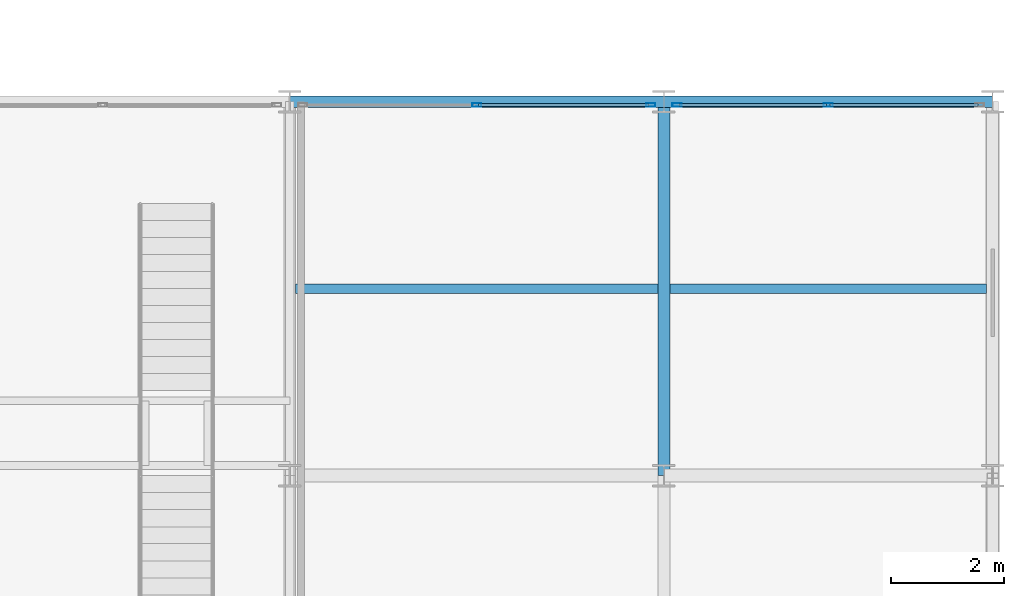
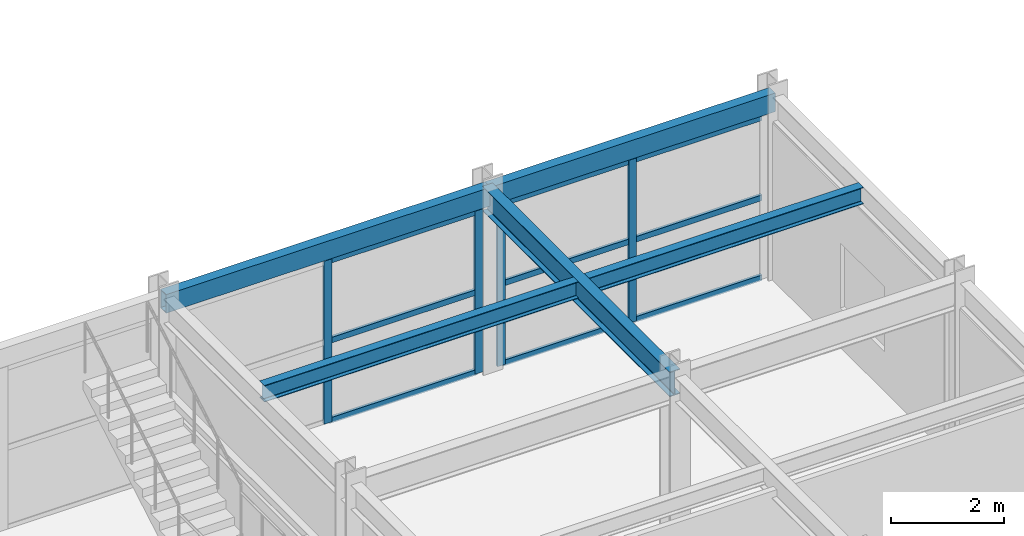
# One storey, part 107 of 157: 13 members, 5 beams, 2 elements without a shape of their own.
"""IFC4 building model written with IfcOpenShell, lengths in metres."""

from ifc_helpers import new_model, si_unit, direction, frame, origin, origin_2d, place, context, subcontext, project, spatial, hollow_rectangle, i_section, extrude, material, material_profile, profile_set, type_object, element, aggregate, save


model = new_model("IFC4")

# Units and contexts
model_context = context("Model", 3, precision=1e-05, world=origin(), true_north=direction((0.0, 1.0)))
body_context = subcontext(model_context, "Body", "Model", "MODEL_VIEW")
ifc_project = project(units=[si_unit("LENGTHUNIT", "METRE"), si_unit("AREAUNIT", "SQUARE_METRE"), si_unit("VOLUMEUNIT", "CUBIC_METRE"), si_unit("PLANEANGLEUNIT", "RADIAN"), si_unit("MASSUNIT", "GRAM", prefix="KILO")], contexts=[model_context])

# Site, building, storey
site_placement = place(None, origin())
site = spatial("IfcSite", under=ifc_project, at=site_placement, CompositionType="ELEMENT")
building_placement = place(site_placement, origin())
building = spatial("IfcBuilding", under=site, at=building_placement, Name="Karori Crest Natural Sciences Institute", CompositionType="ELEMENT")
storey_placement = place(building_placement, frame((0.0, 0.0, 13.300048828125)))
storey = spatial("IfcBuildingStorey", under=building, at=storey_placement, Name="L03", CompositionType="ELEMENT", Elevation=13.300048828125)

# Beams
ifc_material_1 = material(Name="Structural steel AS/NZS 3679.1 Grade 350", Category="steel")
ifc_material_profile_1 = material_profile(ifc_material_1, i_section(OverallWidth=0.208984375, OverallDepth=0.532958984375, WebThickness=0.01025390625, FlangeThickness=0.015625, FilletRadius=0.013916015625, at=origin_2d()), Name="530UB92.4")
ifc_profile_set_1 = profile_set([ifc_material_profile_1], Name="Structural steel AS/NZS 3679.1 Grade 350")
beam_type_1 = type_object("IfcBeamType", Name="BT-05", PredefinedType="BEAM", material=ifc_profile_set_1)
beam_1_placement = place(storey_placement, frame((156.39990234375, 14.0, 3.653564453125), z_axis=(0.0, 1.0, 0.0), x_axis=(-1.0, 0.0, 0.0)))
element("IfcBeam", 1, at=beam_1_placement, inside=storey, type_object=beam_type_1, Name="Beam B-2341", PredefinedType="BEAM", context=body_context, shape_type="SweptSolid", body=[
    extrude(i_section(OverallWidth=0.208984375, OverallDepth=0.532958984375, WebThickness=0.01025390625, FlangeThickness=0.015625, FilletRadius=0.013916015625, at=origin_2d()), origin(), (0.0, 0.0, 1.0), 6.60009765625),
])
ifc_material_profile_2 = material_profile(ifc_material_1, i_section(OverallWidth=0.172119140625, OverallDepth=0.35888671875, WebThickness=0.008056640625, FlangeThickness=0.012939453125, FilletRadius=0.010986328125, at=origin_2d()), Name="360UB56.7")
ifc_profile_set_2 = profile_set([ifc_material_profile_2], Name="Structural steel AS/NZS 3679.1 Grade 350")
beam_type_2 = type_object("IfcBeamType", Name="BT-08", PredefinedType="BEAM", material=ifc_profile_set_2)
beam_2_placement = place(storey_placement, frame((149.904541015625, 17.300048828125, 3.740478515625), z_axis=(1.0, 0.0, 0.0), x_axis=(0.0, 1.0, 0.0)))
element("IfcBeam", 2, at=beam_2_placement, inside=storey, type_object=beam_type_2, Name="Beam B-2363", PredefinedType="BEAM", context=body_context, shape_type="SweptSolid", body=[
    extrude(i_section(OverallWidth=0.172119140625, OverallDepth=0.35888671875, WebThickness=0.008056640625, FlangeThickness=0.012939453125, FilletRadius=0.010986328125, at=origin_2d()), origin(), (0.0, 0.0, 1.0), 6.390869140625),
])
beam_3_placement = place(storey_placement, frame((156.50439453125, 17.300048828125, 3.740478515625), z_axis=(1.0, 0.0, 0.0), x_axis=(0.0, 1.0, 0.0)))
element("IfcBeam", 3, at=beam_3_placement, inside=storey, type_object=beam_type_2, Name="Beam B-2366", PredefinedType="BEAM", context=body_context, shape_type="SweptSolid", body=[
    extrude(i_section(OverallWidth=0.172119140625, OverallDepth=0.35888671875, WebThickness=0.008056640625, FlangeThickness=0.012939453125, FilletRadius=0.010986328125, at=origin_2d()), origin(), (0.0, 0.0, 1.0), 5.591064453125),
])
ifc_material_2 = material(Name="Hollow structural steel AS/NZS 1163 Grade C350", Category="steel")
ifc_material_profile_3 = material_profile(ifc_material_2, hollow_rectangle(XDim=0.199951171875, YDim=0.39990234375, WallThickness=0.012451171875, at=origin_2d()), Name="RHS400x200x12.5")
ifc_profile_set_3 = profile_set([ifc_material_profile_3], Name="Hollow structural steel AS/NZS 1163 Grade C350")
beam_type_3 = type_object("IfcBeamType", Name="BT-14", PredefinedType="SPANDREL", material=ifc_profile_set_3)
beam_4_placement = place(storey_placement, frame((149.800048828125, 20.60009765625, 3.719970703125), z_axis=(1.0, 0.0, 0.0), x_axis=(0.0, 1.0, 0.0)))
element("IfcBeam", 4, at=beam_4_placement, inside=storey, type_object=beam_type_3, Name="Beam B-2313", PredefinedType="SPANDREL", context=body_context, shape_type="SweptSolid", body=[
    extrude(hollow_rectangle(XDim=0.199951171875, YDim=0.39990234375, WallThickness=0.012451171875, at=origin_2d()), origin(), (0.0, 0.0, 1.0), 6.599853515625),
])
beam_5_placement = place(storey_placement, frame((156.39990234375, 20.60009765625, 3.719970703125), z_axis=(1.0, 0.0, 0.0), x_axis=(0.0, 1.0, 0.0)))
element("IfcBeam", 5, at=beam_5_placement, inside=storey, type_object=beam_type_3, Name="Beam B-2314", PredefinedType="SPANDREL", context=body_context, shape_type="SweptSolid", body=[
    extrude(hollow_rectangle(XDim=0.199951171875, YDim=0.39990234375, WallThickness=0.012451171875, at=origin_2d()), origin(), (0.0, 0.0, 1.0), 5.800048828125),
])

# Curtain wall, members
ifc_material_3 = material(Name="Anodised architectural aluminium 6063-T6", Category="aluminium")
curtain_wall_type = type_object("IfcCurtainWallType", Name="CWT-20", PredefinedType="NOTDEFINED", material=ifc_material_3)
curtain_wall_1_placement = place(storey_placement, origin())
curtain_wall_1 = element("IfcCurtainWall", 6, at=curtain_wall_1_placement, inside=storey, type_object=curtain_wall_type, Name="Curtain wall CW-0329", PredefinedType="NOTDEFINED")
ifc_material_profile_4 = material_profile(ifc_material_3, hollow_rectangle(XDim=0.06494140625, YDim=0.159912109375, WallThickness=0.00390625, at=origin_2d()), Name="CWM160x65x4")
ifc_profile_set_4 = profile_set([ifc_material_profile_4], Name="Anodised architectural aluminium 6063-T6")
member_type_1 = type_object("IfcMemberType", Name="CWM-01", PredefinedType="MULLION", material=ifc_profile_set_4)
member_1_placement = place(storey_placement, frame((153.10009765625, 20.5400390625, 0.0), z_axis=(0.0, 0.0, 1.0), x_axis=(0.0, 1.0, 0.0)))
member_1 = element("IfcMember", 7, at=member_1_placement, type_object=member_type_1, Name="CW-0329 mullion 2", PredefinedType="MULLION", context=body_context, shape_type="SweptSolid", body=[
    extrude(hollow_rectangle(XDim=0.06494140625, YDim=0.159912109375, WallThickness=0.00390625, at=origin_2d()), origin(), (0.0, 0.0, 1.0), 3.5048828125),
])
member_2_placement = place(storey_placement, frame((156.16943359375, 20.5400390625, 0.0), z_axis=(0.0, 0.0, 1.0), x_axis=(0.0, 1.0, 0.0)))
member_2 = element("IfcMember", 8, at=member_2_placement, type_object=member_type_1, Name="CW-0329 mullion 3", PredefinedType="MULLION", context=body_context, shape_type="SweptSolid", body=[
    extrude(hollow_rectangle(XDim=0.06494140625, YDim=0.159912109375, WallThickness=0.00390625, at=origin_2d()), origin(), (0.0, 0.0, 1.0), 3.5048828125),
])

curtain_wall_2_placement = place(storey_placement, origin())
curtain_wall_2 = element("IfcCurtainWall", 9, at=curtain_wall_2_placement, inside=storey, type_object=curtain_wall_type, Name="Curtain wall CW-0330", PredefinedType="NOTDEFINED")
member_3_placement = place(storey_placement, frame((156.630615234375, 20.5400390625, 0.0), z_axis=(0.0, 0.0, 1.0), x_axis=(0.0, 1.0, 0.0)))
member_3 = element("IfcMember", 10, at=member_3_placement, type_object=member_type_1, Name="CW-0330 mullion 1", PredefinedType="MULLION", context=body_context, shape_type="SweptSolid", body=[
    extrude(hollow_rectangle(XDim=0.06494140625, YDim=0.159912109375, WallThickness=0.00390625, at=origin_2d()), origin(), (0.0, 0.0, 1.0), 3.5048828125),
])
member_4_placement = place(storey_placement, frame((159.300048828125, 20.5400390625, 0.0), z_axis=(0.0, 0.0, 1.0), x_axis=(0.0, 1.0, 0.0)))
member_4 = element("IfcMember", 11, at=member_4_placement, type_object=member_type_1, Name="CW-0330 mullion 2", PredefinedType="MULLION", context=body_context, shape_type="SweptSolid", body=[
    extrude(hollow_rectangle(XDim=0.06494140625, YDim=0.159912109375, WallThickness=0.00390625, at=origin_2d()), origin(), (0.0, 0.0, 1.0), 3.5048828125),
])

# Member
ifc_material_profile_5 = material_profile(ifc_material_3, hollow_rectangle(XDim=0.06005859375, YDim=0.1201171875, WallThickness=0.00390625, at=origin_2d()), Name="CWT120x60x4")
ifc_profile_set_5 = profile_set([ifc_material_profile_5], Name="Anodised architectural aluminium 6063-T6")
member_type_2 = type_object("IfcMemberType", Name="CWT-TR1", PredefinedType="USERDEFINED", material=ifc_profile_set_5)
member_5_placement = place(storey_placement, frame((153.132568359375, 20.5400390625, 0.030029296875), z_axis=(1.0, 0.0, 0.0), x_axis=(0.0, 1.0, 0.0)))
member_5 = element("IfcMember", 12, at=member_5_placement, type_object=member_type_2, Name="CW-0329 transom 2.1", ObjectType="TRANSOM", PredefinedType="USERDEFINED", context=body_context, shape_type="SweptSolid", body=[
    extrude(hollow_rectangle(XDim=0.06005859375, YDim=0.1201171875, WallThickness=0.00390625, at=origin_2d()), origin(), (0.0, 0.0, 1.0), 3.00439453125),
])

member_6_placement = place(storey_placement, frame((153.132568359375, 20.5400390625, 1.75244140625), z_axis=(1.0, 0.0, 0.0), x_axis=(0.0, 1.0, 0.0)))
member_6 = element("IfcMember", 13, at=member_6_placement, type_object=member_type_2, Name="CW-0329 transom 2.2", ObjectType="TRANSOM", PredefinedType="USERDEFINED", context=body_context, shape_type="SweptSolid", body=[
    extrude(hollow_rectangle(XDim=0.06005859375, YDim=0.1201171875, WallThickness=0.00390625, at=origin_2d()), origin(), (0.0, 0.0, 1.0), 3.00439453125),
])

member_7_placement = place(storey_placement, frame((153.132568359375, 20.5400390625, 3.474853515625), z_axis=(1.0, 0.0, 0.0), x_axis=(0.0, 1.0, 0.0)))
member_7 = element("IfcMember", 14, at=member_7_placement, type_object=member_type_2, Name="CW-0329 transom 2.3", ObjectType="TRANSOM", PredefinedType="USERDEFINED", context=body_context, shape_type="SweptSolid", body=[
    extrude(hollow_rectangle(XDim=0.06005859375, YDim=0.1201171875, WallThickness=0.00390625, at=origin_2d()), origin(), (0.0, 0.0, 1.0), 3.00439453125),
])

aggregate(curtain_wall_1, [member_1, member_2, member_5, member_6, member_7])

member_8_placement = place(storey_placement, frame((156.6630859375, 20.5400390625, 0.030029296875), z_axis=(1.0, 0.0, 0.0), x_axis=(0.0, 1.0, 0.0)))
member_8 = element("IfcMember", 15, at=member_8_placement, type_object=member_type_2, Name="CW-0330 transom 1.1", ObjectType="TRANSOM", PredefinedType="USERDEFINED", context=body_context, shape_type="SweptSolid", body=[
    extrude(hollow_rectangle(XDim=0.06005859375, YDim=0.1201171875, WallThickness=0.00390625, at=origin_2d()), origin(), (0.0, 0.0, 1.0), 2.6044921875),
])

member_9_placement = place(storey_placement, frame((156.6630859375, 20.5400390625, 1.75244140625), z_axis=(1.0, 0.0, 0.0), x_axis=(0.0, 1.0, 0.0)))
member_9 = element("IfcMember", 16, at=member_9_placement, type_object=member_type_2, Name="CW-0330 transom 1.2", ObjectType="TRANSOM", PredefinedType="USERDEFINED", context=body_context, shape_type="SweptSolid", body=[
    extrude(hollow_rectangle(XDim=0.06005859375, YDim=0.1201171875, WallThickness=0.00390625, at=origin_2d()), origin(), (0.0, 0.0, 1.0), 2.6044921875),
])

member_10_placement = place(storey_placement, frame((156.6630859375, 20.5400390625, 3.474853515625), z_axis=(1.0, 0.0, 0.0), x_axis=(0.0, 1.0, 0.0)))
member_10 = element("IfcMember", 17, at=member_10_placement, type_object=member_type_2, Name="CW-0330 transom 1.3", ObjectType="TRANSOM", PredefinedType="USERDEFINED", context=body_context, shape_type="SweptSolid", body=[
    extrude(hollow_rectangle(XDim=0.06005859375, YDim=0.1201171875, WallThickness=0.00390625, at=origin_2d()), origin(), (0.0, 0.0, 1.0), 2.6044921875),
])

member_11_placement = place(storey_placement, frame((159.33251953125, 20.5400390625, 0.030029296875), z_axis=(1.0, 0.0, 0.0), x_axis=(0.0, 1.0, 0.0)))
member_11 = element("IfcMember", 18, at=member_11_placement, type_object=member_type_2, Name="CW-0330 transom 2.1", ObjectType="TRANSOM", PredefinedType="USERDEFINED", context=body_context, shape_type="SweptSolid", body=[
    extrude(hollow_rectangle(XDim=0.06005859375, YDim=0.1201171875, WallThickness=0.00390625, at=origin_2d()), origin(), (0.0, 0.0, 1.0), 2.6044921875),
])

member_12_placement = place(storey_placement, frame((159.33251953125, 20.5400390625, 1.75244140625), z_axis=(1.0, 0.0, 0.0), x_axis=(0.0, 1.0, 0.0)))
member_12 = element("IfcMember", 19, at=member_12_placement, type_object=member_type_2, Name="CW-0330 transom 2.2", ObjectType="TRANSOM", PredefinedType="USERDEFINED", context=body_context, shape_type="SweptSolid", body=[
    extrude(hollow_rectangle(XDim=0.06005859375, YDim=0.1201171875, WallThickness=0.00390625, at=origin_2d()), origin(), (0.0, 0.0, 1.0), 2.6044921875),
])

member_13_placement = place(storey_placement, frame((159.33251953125, 20.5400390625, 3.474853515625), z_axis=(1.0, 0.0, 0.0), x_axis=(0.0, 1.0, 0.0)))
member_13 = element("IfcMember", 20, at=member_13_placement, type_object=member_type_2, Name="CW-0330 transom 2.3", ObjectType="TRANSOM", PredefinedType="USERDEFINED", context=body_context, shape_type="SweptSolid", body=[
    extrude(hollow_rectangle(XDim=0.06005859375, YDim=0.1201171875, WallThickness=0.00390625, at=origin_2d()), origin(), (0.0, 0.0, 1.0), 2.6044921875),
])

aggregate(curtain_wall_2, [member_3, member_4, member_8, member_9, member_10, member_11, member_12, member_13])

save(model, "model.ifc")
